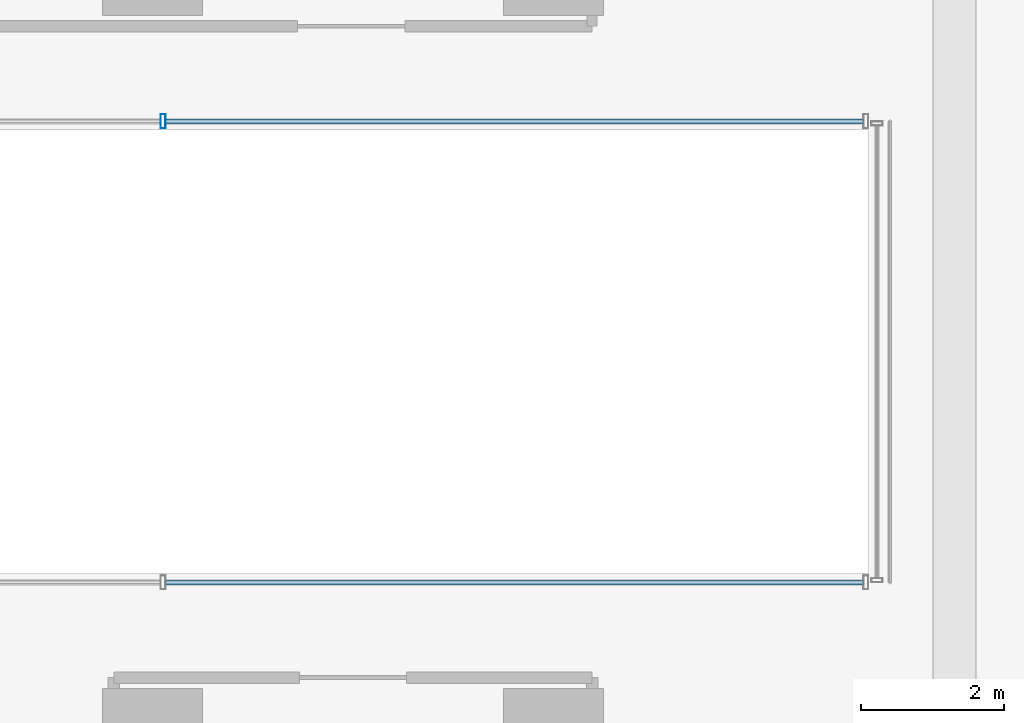
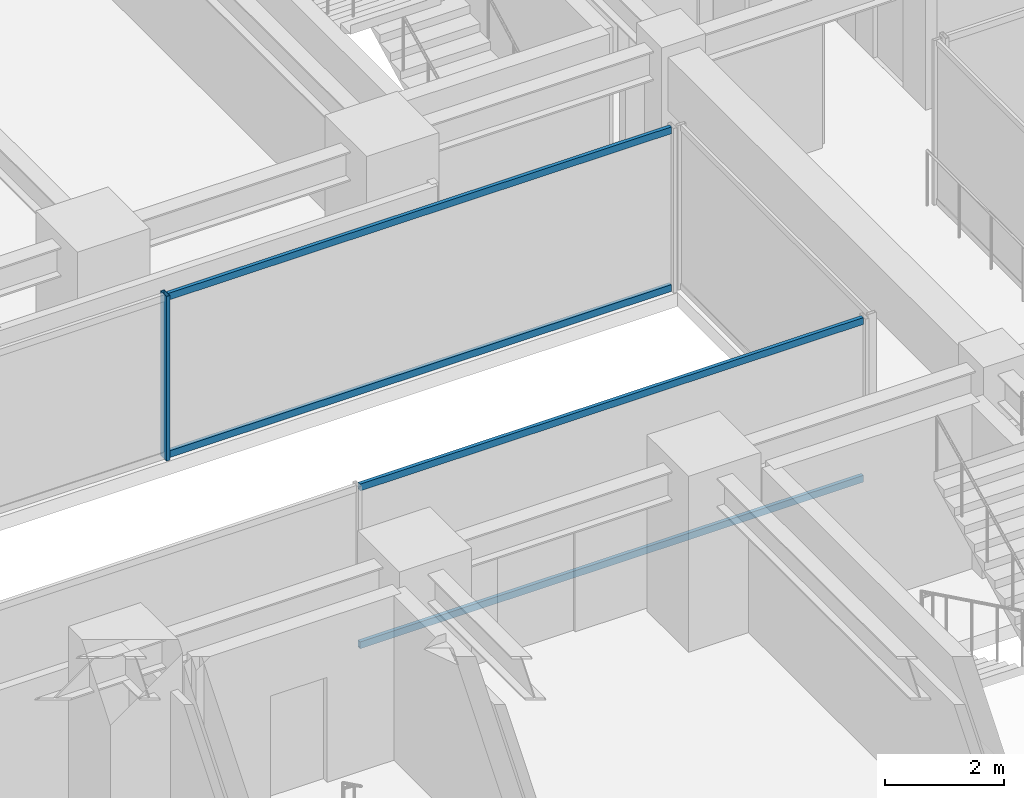
# One storey, part 12 of 38: 5 members, 2 elements without a shape of their own.
"""IFC4 building model written with IfcOpenShell, lengths in metres."""

from ifc_helpers import new_model, si_unit, direction, frame, origin, origin_2d, place, context, subcontext, project, spatial, hollow_rectangle, extrude, source, transform, mapped, material, material_profile, profile_set, type_object, element, aggregate, save


model = new_model("IFC4")

# Units and contexts
model_context = context("Model", 3, precision=1e-05, world=origin(), true_north=direction((0.0, 1.0)))
body_context = subcontext(model_context, "Body", "Model", "MODEL_VIEW")
ifc_project = project(units=[si_unit("LENGTHUNIT", "METRE"), si_unit("AREAUNIT", "SQUARE_METRE"), si_unit("VOLUMEUNIT", "CUBIC_METRE"), si_unit("PLANEANGLEUNIT", "RADIAN"), si_unit("MASSUNIT", "GRAM", prefix="KILO")], contexts=[model_context])

# Site, building, storey
site_placement = place(None, origin())
site = spatial("IfcSite", under=ifc_project, at=site_placement, CompositionType="ELEMENT")
building_placement = place(site_placement, origin())
building = spatial("IfcBuilding", under=site, at=building_placement, Name="Nahalor Promenade Grand Hotel", CompositionType="ELEMENT")
storey_placement = place(building_placement, frame((0.0, 0.0, 50.64990234375)))
storey = spatial("IfcBuildingStorey", under=building, at=storey_placement, Name="L11", CompositionType="ELEMENT", Elevation=50.64990234375)

# Curtain wall, members
ifc_material = material(Name="Anodised Bronze Aluminium EN AW-6063 T6", Category="aluminium")
curtain_wall_type = type_object("IfcCurtainWallType", Name="CW3 Elliptical-Void Collar Unitised Curtain Wall", PredefinedType="USERDEFINED", material=ifc_material)
curtain_wall_1_placement = place(storey_placement, origin())
curtain_wall_1 = element("IfcCurtainWall", 1, at=curtain_wall_1_placement, inside=storey, type_object=curtain_wall_type, Name="L11 Curtain Wall CW-L11-VOID-WS1", ObjectType="UNITISED_CURTAIN_WALL", PredefinedType="USERDEFINED")
ifc_material_profile_1 = material_profile(ifc_material, hollow_rectangle(XDim=0.07, YDim=0.14, WallThickness=0.004, at=origin_2d()), Name="CWT 70x140x4")
ifc_profile_set_1 = profile_set([ifc_material_profile_1], Name="Anodised Bronze Aluminium EN AW-6063 T6")
member_type_1 = type_object("IfcMemberType", Name="CWT3 Void Collar Transom 70x140", PredefinedType="USERDEFINED", material=ifc_profile_set_1)
shared_shape_1 = source(origin(), body_context, "Body", "SweptSolid", [
    extrude(hollow_rectangle(XDim=0.07, YDim=0.14, WallThickness=0.004, at=origin_2d()), origin(), (0.0, 0.0, 1.0), 9.748291015625),
])
member_1_placement = place(storey_placement, frame((-2.618408203125, -3.219970703125, 0.070068359375), z_axis=(1.0, 0.0, 0.0), x_axis=(0.0, 1.0, 0.0)))
member_1 = element("IfcMember", 2, at=member_1_placement, type_object=member_type_1, Name="CW-L11-VOID-WS1 Transom 2-0", ObjectType="TRANSOM", PredefinedType="USERDEFINED", context=body_context, shape_type="MappedRepresentation", body=[
    mapped(shared_shape_1, transform((0.0, 0.0, 0.0), scale=1.0)),
])
member_2_placement = place(storey_placement, frame((-2.618408203125, -3.219970703125, 3.300048828125), z_axis=(1.0, 0.0, 0.0), x_axis=(0.0, 1.0, 0.0)))
member_2 = element("IfcMember", 3, at=member_2_placement, type_object=member_type_1, Name="CW-L11-VOID-WS1 Transom 2-1", ObjectType="TRANSOM", PredefinedType="USERDEFINED", context=body_context, shape_type="MappedRepresentation", body=[
    mapped(shared_shape_1, transform((0.0, 0.0, 0.0), scale=1.0)),
])
aggregate(curtain_wall_1, [member_1, member_2])

curtain_wall_2_placement = place(storey_placement, origin())
curtain_wall_2 = element("IfcCurtainWall", 4, at=curtain_wall_2_placement, inside=storey, type_object=curtain_wall_type, Name="L11 Curtain Wall CW-L11-VOID-WN1", ObjectType="UNITISED_CURTAIN_WALL", PredefinedType="USERDEFINED")
member_3_placement = place(storey_placement, frame((-2.618408203125, 3.219970703125, 0.070068359375), z_axis=(1.0, 0.0, 0.0), x_axis=(0.0, 1.0, 0.0)))
member_3 = element("IfcMember", 5, at=member_3_placement, type_object=member_type_1, Name="CW-L11-VOID-WN1 Transom 2-0", ObjectType="TRANSOM", PredefinedType="USERDEFINED", context=body_context, shape_type="MappedRepresentation", body=[
    mapped(shared_shape_1, transform((0.0, 0.0, 0.0), scale=1.0)),
])
member_4_placement = place(storey_placement, frame((-2.618408203125, 3.219970703125, 3.300048828125), z_axis=(1.0, 0.0, 0.0), x_axis=(0.0, 1.0, 0.0)))
member_4 = element("IfcMember", 6, at=member_4_placement, type_object=member_type_1, Name="CW-L11-VOID-WN1 Transom 2-1", ObjectType="TRANSOM", PredefinedType="USERDEFINED", context=body_context, shape_type="MappedRepresentation", body=[
    mapped(shared_shape_1, transform((0.0, 0.0, 0.0), scale=1.0)),
])
ifc_material_profile_2 = material_profile(ifc_material, hollow_rectangle(XDim=0.07, YDim=0.2, WallThickness=0.005, at=origin_2d()), Name="CWM 70x200x5")
ifc_profile_set_2 = profile_set([ifc_material_profile_2], Name="Anodised Bronze Aluminium EN AW-6063 T6")
member_type_2 = type_object("IfcMemberType", Name="CWM3 Void Collar Mullion 70x200", PredefinedType="MULLION", material=ifc_profile_set_2)
shared_shape_2 = source(origin(), body_context, "Body", "SweptSolid", [
    extrude(hollow_rectangle(XDim=0.07, YDim=0.2, WallThickness=0.005, at=origin_2d()), origin(), (0.0, 0.0, 1.0), 3.3701171875),
])
member_5_placement = place(storey_placement, frame((-2.6533203125, 3.219970703125, 0.0), z_axis=(0.0, 0.0, 1.0), x_axis=(1.0, 0.0, 0.0)))
member_5 = element("IfcMember", 7, at=member_5_placement, type_object=member_type_2, Name="CW-L11-VOID-WN1 Mullion 2", PredefinedType="MULLION", context=body_context, shape_type="MappedRepresentation", body=[
    mapped(shared_shape_2, transform((0.0, 0.0, 0.0), scale=1.0)),
])
aggregate(curtain_wall_2, [member_5, member_3, member_4])

save(model, "model.ifc")
